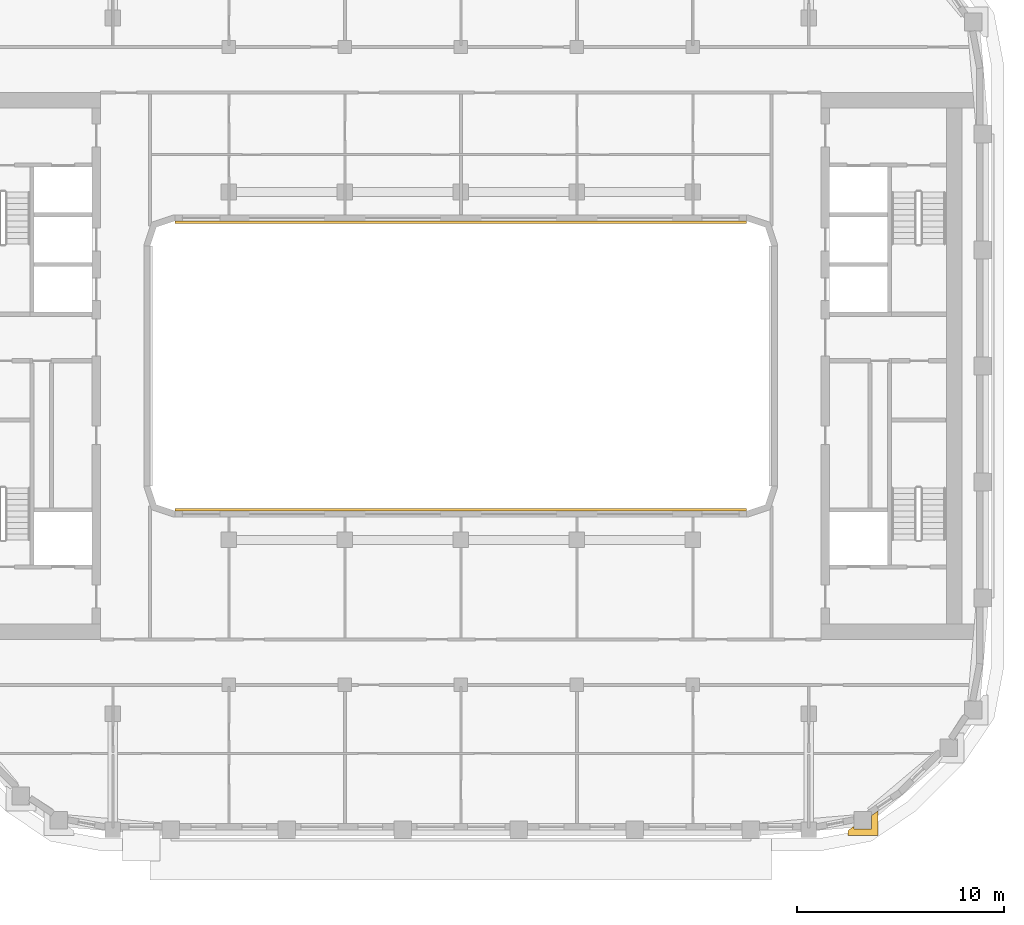
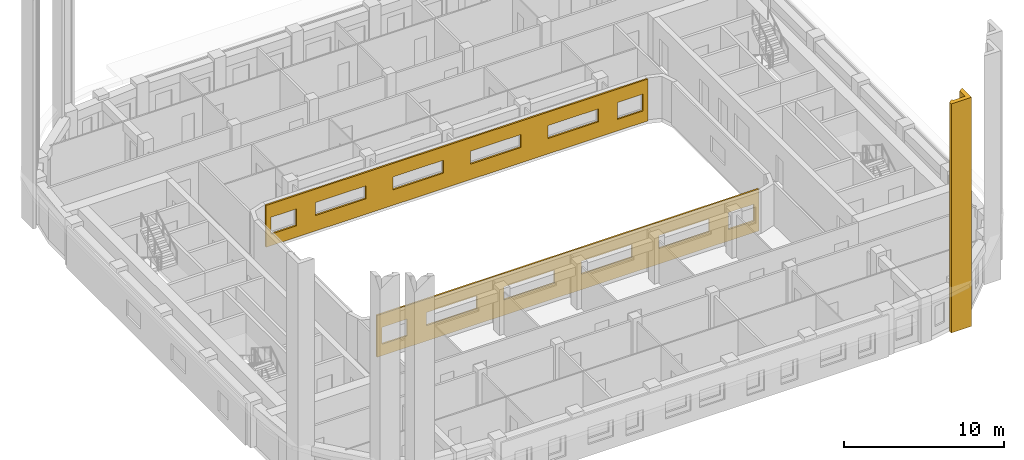
# One storey, part 15 of 21: 3 coverings.
"""IFC4 building model written with IfcOpenShell, lengths in metres."""

from ifc_helpers import new_model, si_unit, direction, frame, origin, place, context, subcontext, project, spatial, polyline, outline, extrude, material, layer, layer_set, type_object, element, save


model = new_model("IFC4")

# Units and contexts
model_context = context("Model", 3, precision=1e-05, world=origin(), true_north=direction((0.0, 1.0)))
body_context = subcontext(model_context, "Body", "Model", "MODEL_VIEW")
ifc_project = project(units=[si_unit("LENGTHUNIT", "METRE"), si_unit("AREAUNIT", "SQUARE_METRE"), si_unit("VOLUMEUNIT", "CUBIC_METRE"), si_unit("PLANEANGLEUNIT", "RADIAN"), si_unit("MASSUNIT", "GRAM", prefix="KILO")], contexts=[model_context])

# Site, building, storey
site_placement = place(None, origin())
site = spatial("IfcSite", under=ifc_project, at=site_placement, CompositionType="ELEMENT")
building_placement = place(site_placement, origin())
building = spatial("IfcBuilding", under=site, at=building_placement, Name="Kiln Ring Residences", CompositionType="ELEMENT")
storey_placement = place(building_placement, frame((0.0, 0.0, 213.39990234375)))
storey = spatial("IfcBuildingStorey", under=building, at=storey_placement, Name="L55", CompositionType="ELEMENT", Elevation=213.39990234375)

# Coverings
ifc_material_1 = material(Name="Brick masonry, dark clay brick", Category="masonry")
ifc_layer_1 = layer(ifc_material_1, 0.300048828125)
ifc_layer_set_1 = layer_set([ifc_layer_1], Name="PIER CLADDING 300")
covering_type_1 = type_object("IfcCoveringType", Name="PIER CLADDING 300", PredefinedType="CLADDING", material=ifc_layer_set_1)
covering_placement = place(storey_placement, origin())
element("IfcCovering", 1, at=covering_placement, inside=storey, type_object=covering_type_1, Name="PIER CLADDING L55-L59", PredefinedType="CLADDING", context=body_context, shape_type="SweptSolid", body=[
    extrude(outline(polyline([(18.983642578125, -22.226806640625), (18.68359375, -22.430908203125), (18.68359375, -22.6630859375), (20.1337890625, -22.6630859375), (20.1337890625, -21.493408203125), (19.833740234375, -21.697509765625), (19.833740234375, -22.363037109375), (18.983642578125, -22.363037109375), (18.983642578125, -22.226806640625)])), origin(), (0.0, 0.0, 1.0), 17.5),
])
ifc_material_2 = material(Name="Brick masonry, dark clay brick", Category="masonry")
ifc_layer_2 = layer(ifc_material_2, 0.1201171875)
ifc_layer_set_2 = layer_set([ifc_layer_2], Name="RAINSCREEN PANEL 120")
covering_type_2 = type_object("IfcCoveringType", Name="RAINSCREEN PANEL 120", PredefinedType="CLADDING", material=ifc_layer_set_2)
for number, where, z_axis, x_axis, name in (
    (2, (-13.800048828125, 6.93994140625, 0.0), (0.0, 0.0, 1.0), (1.0, 0.0, 0.0), "RAINSCREEN L55"),
    (3, (13.800048828125, -6.93994140625, 0.0), (0.0, 0.0, 1.0), (-1.0, 0.0, 0.0), "RAINSCREEN L55"),
):
    element("IfcCovering", number, at=place(storey_placement, frame(where, z_axis=z_axis, x_axis=x_axis)), inside=storey, type_object=covering_type_2, Name=name, PredefinedType="CLADDING", context=body_context, shape_type="SweptSolid", body=[
        extrude(outline(polyline([(0.0, 0.0), (27.60009765625, 0.0), (27.60009765625, 3.2001953125), (0.0, 3.2001953125), (0.0, 0.0)]), holes=[polyline([(2.1826171875, 0.880126953125), (2.1826171875, 2.170166015625), (0.342529296875, 2.170166015625), (0.342529296875, 0.880126953125), (2.1826171875, 0.880126953125)]), polyline([(25.41748046875, 0.880126953125), (27.257568359375, 0.880126953125), (27.257568359375, 2.170166015625), (25.41748046875, 2.170166015625), (25.41748046875, 0.880126953125)]), polyline([(3.580078125, 1.18017578125), (7.219970703125, 1.18017578125), (7.219970703125, 2.170166015625), (3.580078125, 2.170166015625), (3.580078125, 1.18017578125)]), polyline([(12.820068359375, 1.18017578125), (12.820068359375, 2.170166015625), (9.179931640625, 2.170166015625), (9.179931640625, 1.18017578125), (12.820068359375, 1.18017578125)]), polyline([(14.780029296875, 1.18017578125), (18.419921875, 1.18017578125), (18.419921875, 2.170166015625), (14.780029296875, 2.170166015625), (14.780029296875, 1.18017578125)]), polyline([(20.3798828125, 1.18017578125), (24.02001953125, 1.18017578125), (24.02001953125, 2.170166015625), (20.3798828125, 2.170166015625), (20.3798828125, 1.18017578125)])]), frame((0.0, 0.06005859375, 0.0), z_axis=(0.0, -1.0, 0.0), x_axis=(1.0, 0.0, 0.0)), (0.0, 0.0, 1.0), 0.1201171875),
    ])

save(model, "model.ifc")
